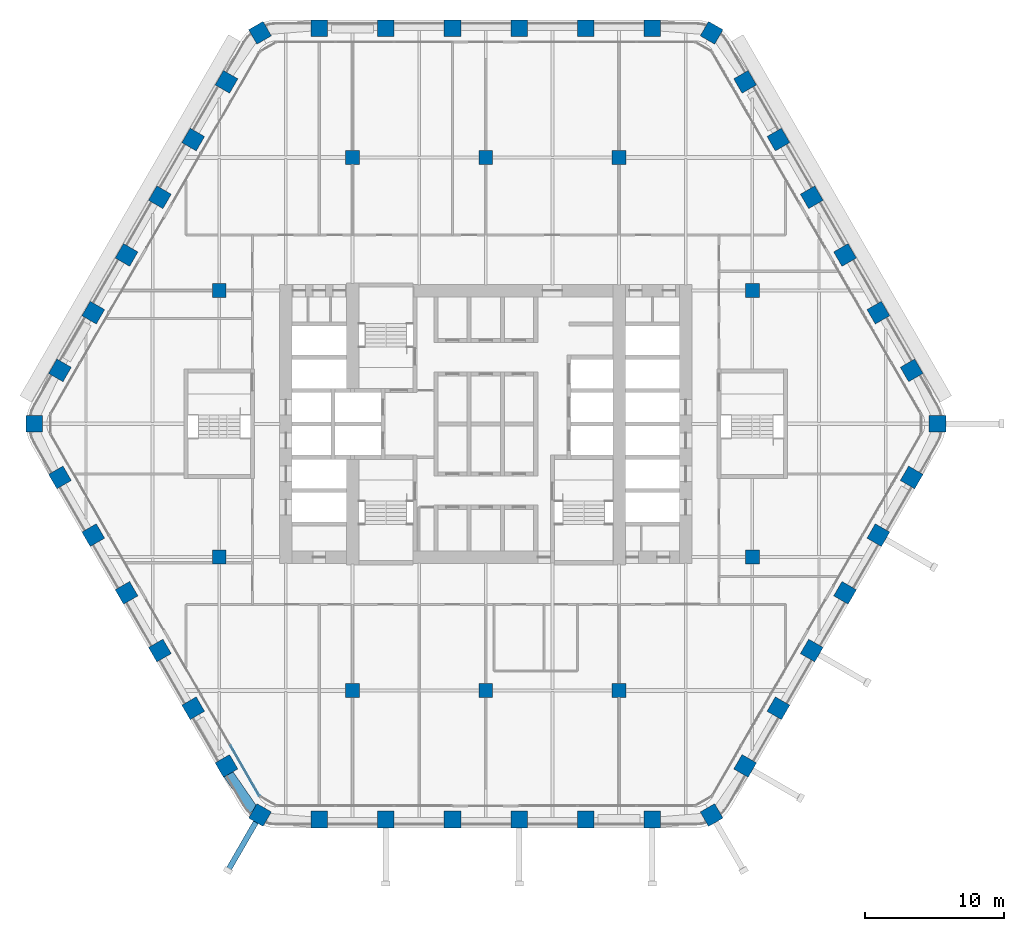
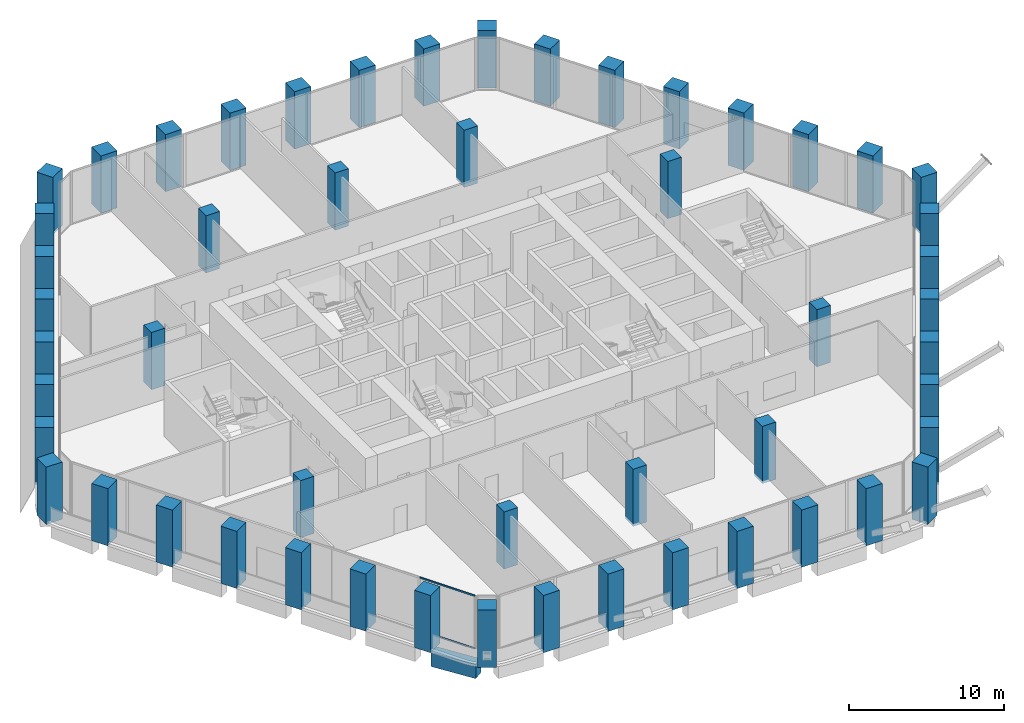
# One storey, part 1 of 24: 52 columns, 3 members, 1 beam, 1 element without a shape of its own.
"""IFC4 building model written with IfcOpenShell, lengths in metres."""

import ifcopenshell
import ifcopenshell.guid

model = None  # the IFC model being written
_history = None  # IfcOwnerHistory: only IFC2X3 demands one
_inside = {}  # id of a spatial element -> (the spatial element, [elements in it])
_under = {}  # id of a project, library or spatial element -> (it, [spatial elements below it])
_declared = {}  # id of a project -> (the project, [libraries it declares])
_typed = {}  # id of a type object -> (the type object, [elements of that type])
_made_of = {}  # id of a material, layer set ... -> (it, [elements and type objects made of it])


def new_model(schema):
    """Start an empty IFC model of exactly this schema.

    Asked for "IFC4X3", IfcOpenShell would pick the latest addendum, in which some entities
    have other attributes; the version numbers below select the first issue.
    IFC2X3 requires an IfcOwnerHistory on every rooted entity: one is made here for all.
    """
    global model, _history
    if schema == "IFC4X3":
        model = ifcopenshell.file(schema_version=(4, 3, 0, 0))
    else:
        model = ifcopenshell.file(schema=schema)
    _inside.clear()
    _under.clear()
    _declared.clear()
    _typed.clear()
    _made_of.clear()
    _history = None
    if model.schema == "IFC2X3":
        org = make("IfcOrganization", Name="unknown")
        user = make(
            "IfcPersonAndOrganization",
            ThePerson=make("IfcPerson", FamilyName="unknown"),
            TheOrganization=org,
        )
        app = make(
            "IfcApplication",
            ApplicationDeveloper=org,
            Version="unknown",
            ApplicationFullName="unknown",
            ApplicationIdentifier="unknown",
        )
        _history = make(
            "IfcOwnerHistory",
            OwningUser=user,
            OwningApplication=app,
            ChangeAction="ADDED",
            CreationDate=0,
        )
    return model


def make(cls, **values):
    """One entity of the class cls with the attributes given. An attribute that is None is left unset."""
    return model.create_entity(
        cls, **{name: value for name, value in values.items() if value is not None}
    )


def rooted(cls, **values):
    """An entity with a GlobalId (a new one), such as an element, a storey or a relation."""
    return make(cls, GlobalId=ifcopenshell.guid.new(), OwnerHistory=_history, **values)


def si_unit(unit_type, name, prefix=None):
    """IfcSIUnit, for example si_unit("LENGTHUNIT", "METRE", prefix="MILLI")."""
    return make("IfcSIUnit", UnitType=unit_type, Prefix=prefix, Name=name)


def assignment(units):
    """IfcUnitAssignment: the units of a project."""
    return None if units is None else make("IfcUnitAssignment", Units=units)


def point(xyz):
    """IfcCartesianPoint."""
    return None if xyz is None else make("IfcCartesianPoint", Coordinates=xyz)


def direction(xyz):
    """IfcDirection."""
    return None if xyz is None else make("IfcDirection", DirectionRatios=xyz)


def frame(location, z_axis=None, x_axis=None):
    """IfcAxis2Placement3D, a coordinate frame: its origin and axes. An axis left out is left unset."""
    return make(
        "IfcAxis2Placement3D",
        Location=point(location),
        Axis=direction(z_axis),
        RefDirection=direction(x_axis),
    )


def frame_2d(location, x_axis=None):
    """IfcAxis2Placement2D, a coordinate frame in the plane: its origin and x axis."""
    return make(
        "IfcAxis2Placement2D", Location=point(location), RefDirection=direction(x_axis)
    )


def origin():
    """The frame at (0, 0, 0) with its axes left unset."""
    return frame((0.0, 0.0, 0.0))


def origin_2d():
    """The frame at (0, 0) in the plane with its x axis left unset."""
    return frame_2d((0.0, 0.0))


def place(relative_to, where):
    """IfcLocalPlacement: puts the frame where relative to a parent placement (None: the world)."""
    return make(
        "IfcLocalPlacement", PlacementRelTo=relative_to, RelativePlacement=where
    )


def context(
    kind, dimensions, precision=None, world=None, true_north=None, identifier=None
):
    """IfcGeometricRepresentationContext, for example the 3D "Model" context."""
    return make(
        "IfcGeometricRepresentationContext",
        ContextIdentifier=identifier,
        ContextType=kind,
        CoordinateSpaceDimension=dimensions,
        Precision=precision,
        WorldCoordinateSystem=world,
        TrueNorth=true_north,
    )


def subcontext(parent, identifier, kind, view, scale=None):
    """IfcGeometricRepresentationSubContext, for example "Body" below "Model"."""
    return make(
        "IfcGeometricRepresentationSubContext",
        ContextIdentifier=identifier,
        ContextType=kind,
        ParentContext=parent,
        TargetScale=scale,
        TargetView=view,
    )


def project(units=None, contexts=None):
    """IfcProject with its units and contexts."""
    return rooted(
        "IfcProject",
        Name="project",
        RepresentationContexts=contexts,
        UnitsInContext=assignment(units),
    )


def spatial(cls, under=None, at=None, **own):
    """A site, building, storey or space (cls), placed at a placement, below another one or the project."""
    s = rooted(cls, ObjectPlacement=at, **own)
    if under is not None:
        _under.setdefault(under.id(), (under, []))[1].append(s)
    return s


def profile(cls, at=None, kind="AREA", **sizes):
    """A parametric profile (cls). Its sizes go by their IFC names, for example OverallWidth=200.0."""
    return make(cls, ProfileType=kind, Position=at, **sizes)


def rectangle(**sizes):
    """IfcRectangleProfileDef."""
    return profile("IfcRectangleProfileDef", **sizes)


def hollow_rectangle(**sizes):
    """IfcRectangleHollowProfileDef."""
    return profile("IfcRectangleHollowProfileDef", **sizes)


def extrude(swept, where, along, depth):
    """IfcExtrudedAreaSolid: the profile swept, set in the frame where, extruded along a direction by depth."""
    return make(
        "IfcExtrudedAreaSolid",
        SweptArea=swept,
        Position=where,
        ExtrudedDirection=direction(along),
        Depth=depth,
    )


def shape(context_of_items, identifier, shape_type, items):
    """IfcShapeRepresentation: the items that make up one representation, for example the "Body"."""
    return make(
        "IfcShapeRepresentation",
        ContextOfItems=context_of_items,
        RepresentationIdentifier=identifier,
        RepresentationType=shape_type,
        Items=items,
    )


def material(Name=None, Category=None):
    """IfcMaterial."""
    return make("IfcMaterial", Name=Name, Category=Category)


def material_profile(
    of_material, cross_section, Name=None, Category=None, Priority=None
):
    """IfcMaterialProfile: a cross section and its material."""
    return make(
        "IfcMaterialProfile",
        Name=Name,
        Material=of_material,
        Profile=cross_section,
        Priority=Priority,
        Category=Category,
    )


def profile_set(profiles, Name=None, composite=None):
    """IfcMaterialProfileSet."""
    return make(
        "IfcMaterialProfileSet",
        Name=Name,
        MaterialProfiles=profiles,
        CompositeProfile=composite,
    )


def made_of(thing, what):
    """Note that an element or type object is made of a material, layer set ...; save() writes the relation."""
    if what is not None:
        _made_of.setdefault(what.id(), (what, []))[1].append(thing)
    return thing


def type_object(cls, material=None, **own):
    """A type object (cls), such as IfcWallType, which elements share."""
    return made_of(rooted(cls, **own), material)


def element(
    cls,
    number,
    at=None,
    inside=None,
    cuts=None,
    type_object=None,
    material=None,
    context=None,
    identifier="Body",
    shape_type=None,
    held_by="IfcProductDefinitionShape",
    body=None,
    shapes=None,
    **own,
):
    """One element of the class cls, such as IfcWall. Its Tag is "e" and its number.

    at: its placement. inside: the storey or other place that contains it. cuts: it is an
    opening in that element (IfcRelVoidsElement). A single representation is given by context,
    identifier, shape_type and body (its items); several are given by shapes. held_by: the class
    of the entity that holds the representations. save() writes the other relations.
    """
    e = rooted(cls, Tag="e%d" % number, ObjectPlacement=at, **own)
    if body is not None:
        shapes = [shape(context, identifier, shape_type, body)]
    if shapes is not None:
        e.Representation = make(held_by, Representations=shapes)
    if inside is not None:
        _inside.setdefault(inside.id(), (inside, []))[1].append(e)
    if cuts is not None:
        rooted(
            "IfcRelVoidsElement", RelatingBuildingElement=cuts, RelatedOpeningElement=e
        )
    if type_object is not None:
        _typed.setdefault(type_object.id(), (type_object, []))[1].append(e)
    return made_of(e, material)


def aggregate(whole, parts):
    """IfcRelAggregates: a whole, such as a stair, and the parts it consists of."""
    return rooted("IfcRelAggregates", RelatingObject=whole, RelatedObjects=parts)


def save(model, path):
    """Write the relations noted so far, then the file.

    IfcRelAggregates (storeys below a building ...), IfcRelContainedInSpatialStructure (elements
    in a storey), IfcRelDefinesByType, IfcRelAssociatesMaterial and IfcRelDeclares: one each for
    every whole, place, type object, material and project.
    """
    for whole, parts in _under.values():
        aggregate(whole, parts)
    for where, things in _inside.values():
        rooted(
            "IfcRelContainedInSpatialStructure",
            RelatedElements=things,
            RelatingStructure=where,
        )
    for kind, things in _typed.values():
        rooted("IfcRelDefinesByType", RelatedObjects=things, RelatingType=kind)
    for what, things in _made_of.values():
        rooted("IfcRelAssociatesMaterial", RelatedObjects=things, RelatingMaterial=what)
    for by, libraries in _declared.values():
        rooted("IfcRelDeclares", RelatingContext=by, RelatedDefinitions=libraries)
    model.write(path)


model = new_model("IFC4")

# Units and contexts
model_context = context("Model", 3, precision=1e-05, world=origin(), true_north=direction((0.0, 1.0)))
body_context = subcontext(model_context, "Body", "Model", "MODEL_VIEW")
ifc_project = project(units=[si_unit("LENGTHUNIT", "METRE"), si_unit("AREAUNIT", "SQUARE_METRE"), si_unit("VOLUMEUNIT", "CUBIC_METRE"), si_unit("PLANEANGLEUNIT", "RADIAN"), si_unit("MASSUNIT", "GRAM", prefix="KILO")], contexts=[model_context])

# Site, building, storey
site_placement = place(None, origin())
site = spatial("IfcSite", under=ifc_project, at=site_placement, CompositionType="ELEMENT")
building_placement = place(site_placement, origin())
building = spatial("IfcBuilding", under=site, at=building_placement, Name="Kolab Exchange Tower", CompositionType="ELEMENT")
storey_placement = place(building_placement, frame((0.0, 0.0, 86.89990234375)))
storey = spatial("IfcBuildingStorey", under=building, at=storey_placement, Name="L16", CompositionType="ELEMENT", Elevation=86.89990234375)

# Columns
ifc_material_1 = material(Name="Concrete C70/85", Category="concrete")
ifc_material_profile_1 = material_profile(ifc_material_1, rectangle(XDim=1.0, YDim=1.0, at=origin_2d()), Name="RC1000")
ifc_profile_set_1 = profile_set([ifc_material_profile_1], Name="Concrete C70/85")
column_type_1 = type_object("IfcColumnType", Name="INTERIOR COLUMN 1000 SQ C70/85", PredefinedType="COLUMN", material=ifc_profile_set_1)
for number, where, z_axis, x_axis, name in (
    (1, (-19.199951171875, -9.60009765625, -0.199951171875), (0.0, 0.0, 1.0), (1.0, 0.0, 0.0), "col/L16/I-I9"),
    (2, (-19.199951171875, 9.60009765625, -0.199951171875), (0.0, 0.0, 1.0), (1.0, 0.0, 0.0), "col/L16/I-I13"),
    (3, (-9.60009765625, -19.199951171875, -0.199951171875), (0.0, 0.0, 1.0), (1.0, 0.0, 0.0), "col/L16/I-K7"),
    (4, (-9.60009765625, 19.199951171875, -0.199951171875), (0.0, 0.0, 1.0), (1.0, 0.0, 0.0), "col/L16/I-K15"),
    (5, (0.0, -19.199951171875, -0.199951171875), (0.0, 0.0, 1.0), (1.0, 0.0, 0.0), "col/L16/I-M7"),
    (6, (0.0, 19.199951171875, -0.199951171875), (0.0, 0.0, 1.0), (1.0, 0.0, 0.0), "col/L16/I-M15"),
    (7, (9.60009765625, -19.199951171875, -0.199951171875), (0.0, 0.0, 1.0), (1.0, 0.0, 0.0), "col/L16/I-O7"),
    (8, (9.60009765625, 19.199951171875, -0.199951171875), (0.0, 0.0, 1.0), (1.0, 0.0, 0.0), "col/L16/I-O15"),
    (9, (19.199951171875, -9.60009765625, -0.199951171875), (0.0, 0.0, 1.0), (1.0, 0.0, 0.0), "col/L16/I-Q9"),
    (10, (19.199951171875, 9.60009765625, -0.199951171875), (0.0, 0.0, 1.0), (1.0, 0.0, 0.0), "col/L16/I-Q13"),
):
    element("IfcColumn", number, at=place(storey_placement, frame(where, z_axis=z_axis, x_axis=x_axis)), inside=storey, type_object=column_type_1, Name=name, PredefinedType="COLUMN", context=body_context, shape_type="SweptSolid", body=[
        extrude(rectangle(XDim=1.0, YDim=1.0, at=origin_2d()), origin(), (0.0, 0.0, 1.0), 4.5),
    ])
ifc_material_profile_2 = material_profile(ifc_material_1, rectangle(XDim=1.199951171875, YDim=1.199951171875, at=origin_2d()), Name="RC1200")
ifc_profile_set_2 = profile_set([ifc_material_profile_2], Name="Concrete C70/85")
column_type_2 = type_object("IfcColumnType", Name="PERIMETER COLUMN 1200 SQ C70/85", PredefinedType="COLUMN", material=ifc_profile_set_2)
for number, where, z_axis, x_axis, name in (
    (11, (-16.26806640625, 28.177001953125, -0.199951171875), (0.0, 0.0, 1.0), (0.866025403784, 0.5, 0.0), "col/L16/F1-01"),
    (12, (-12.0, 28.49853515625, -0.199951171875), (0.0, 0.0, 1.0), (1.0, 0.0, 0.0), "col/L16/F1-02"),
    (13, (-7.199951171875, 28.49853515625, -0.199951171875), (0.0, 0.0, 1.0), (1.0, 0.0, 0.0), "col/L16/F1-03"),
    (14, (-2.39990234375, 28.49853515625, -0.199951171875), (0.0, 0.0, 1.0), (1.0, 0.0, 0.0), "col/L16/F1-04"),
    (15, (2.39990234375, 28.49853515625, -0.199951171875), (0.0, 0.0, 1.0), (1.0, 0.0, 0.0), "col/L16/F1-05"),
    (16, (7.199951171875, 28.49853515625, -0.199951171875), (0.0, 0.0, 1.0), (1.0, 0.0, 0.0), "col/L16/F1-06"),
    (17, (12.0, 28.49853515625, -0.199951171875), (0.0, 0.0, 1.0), (1.0, 0.0, 0.0), "col/L16/F1-07"),
    (18, (16.26806640625, 28.177001953125, -0.199951171875), (0.0, 0.0, 1.0), (0.5, 0.866025403784, 0.0), "col/L16/F2-01"),
    (19, (18.680419921875, 24.6416015625, -0.199951171875), (0.0, 0.0, 1.0), (0.866025403784, 0.5, 0.0), "col/L16/F2-02"),
    (20, (21.080322265625, 20.484619140625, -0.199951171875), (0.0, 0.0, 1.0), (0.866025403784, 0.5, 0.0), "col/L16/F2-03"),
    (21, (23.48046875, 16.32763671875, -0.199951171875), (0.0, 0.0, 1.0), (0.866025403784, 0.5, 0.0), "col/L16/F2-04"),
    (22, (25.88037109375, 12.170654296875, -0.199951171875), (0.0, 0.0, 1.0), (0.866025403784, 0.5, 0.0), "col/L16/F2-05"),
    (23, (28.2802734375, 8.013916015625, -0.199951171875), (0.0, 0.0, 1.0), (0.866025403784, 0.5, 0.0), "col/L16/F2-06"),
    (24, (30.680419921875, 3.85693359375, -0.199951171875), (0.0, 0.0, 1.0), (0.866025403784, 0.5, 0.0), "col/L16/F2-07"),
    (25, (32.535888671875, 0.0, -0.199951171875), (0.0, 0.0, 1.0), (1.0, 0.0, 0.0), "col/L16/F3-01"),
    (26, (30.680419921875, -3.85693359375, -0.199951171875), (0.0, 0.0, 1.0), (0.5, 0.866025403784, 0.0), "col/L16/F3-02"),
    (27, (28.2802734375, -8.013916015625, -0.199951171875), (0.0, 0.0, 1.0), (0.5, 0.866025403784, 0.0), "col/L16/F3-03"),
    (28, (25.88037109375, -12.170654296875, -0.199951171875), (0.0, 0.0, 1.0), (0.5, 0.866025403784, 0.0), "col/L16/F3-04"),
    (29, (23.48046875, -16.32763671875, -0.199951171875), (0.0, 0.0, 1.0), (0.5, 0.866025403784, 0.0), "col/L16/F3-05"),
    (30, (21.080322265625, -20.484619140625, -0.199951171875), (0.0, 0.0, 1.0), (0.5, 0.866025403784, 0.0), "col/L16/F3-06"),
    (31, (18.680419921875, -24.6416015625, -0.199951171875), (0.0, 0.0, 1.0), (0.5, 0.866025403784, 0.0), "col/L16/F3-07"),
    (32, (16.26806640625, -28.177001953125, -0.199951171875), (0.0, 0.0, 1.0), (0.866025403784, 0.5, 0.0), "col/L16/F4-01"),
    (33, (12.0, -28.49853515625, -0.199951171875), (0.0, 0.0, 1.0), (1.0, 0.0, 0.0), "col/L16/F4-02"),
    (34, (7.199951171875, -28.49853515625, -0.199951171875), (0.0, 0.0, 1.0), (1.0, 0.0, 0.0), "col/L16/F4-03"),
    (35, (2.39990234375, -28.49853515625, -0.199951171875), (0.0, 0.0, 1.0), (1.0, 0.0, 0.0), "col/L16/F4-04"),
    (36, (-2.39990234375, -28.49853515625, -0.199951171875), (0.0, 0.0, 1.0), (1.0, 0.0, 0.0), "col/L16/F4-05"),
    (37, (-7.199951171875, -28.49853515625, -0.199951171875), (0.0, 0.0, 1.0), (1.0, 0.0, 0.0), "col/L16/F4-06"),
    (38, (-12.0, -28.49853515625, -0.199951171875), (0.0, 0.0, 1.0), (1.0, 0.0, 0.0), "col/L16/F4-07"),
    (39, (-16.26806640625, -28.177001953125, -0.199951171875), (0.0, 0.0, 1.0), (0.5, 0.866025403784, 0.0), "col/L16/F5-01"),
    (40, (-18.680419921875, -24.6416015625, -0.199951171875), (0.0, 0.0, 1.0), (0.866025403784, 0.5, 0.0), "col/L16/F5-02"),
    (41, (-21.080322265625, -20.484619140625, -0.199951171875), (0.0, 0.0, 1.0), (0.866025403784, 0.5, 0.0), "col/L16/F5-03"),
    (42, (-23.48046875, -16.32763671875, -0.199951171875), (0.0, 0.0, 1.0), (0.866025403784, 0.5, 0.0), "col/L16/F5-04"),
    (43, (-25.88037109375, -12.170654296875, -0.199951171875), (0.0, 0.0, 1.0), (0.866025403784, 0.5, 0.0), "col/L16/F5-05"),
    (44, (-28.2802734375, -8.013916015625, -0.199951171875), (0.0, 0.0, 1.0), (0.866025403784, 0.5, 0.0), "col/L16/F5-06"),
    (45, (-30.680419921875, -3.85693359375, -0.199951171875), (0.0, 0.0, 1.0), (0.866025403784, 0.5, 0.0), "col/L16/F5-07"),
    (46, (-32.535888671875, 0.0, -0.199951171875), (0.0, 0.0, 1.0), (1.0, 0.0, 0.0), "col/L16/F6-01"),
    (47, (-30.680419921875, 3.85693359375, -0.199951171875), (0.0, 0.0, 1.0), (0.5, 0.866025403784, 0.0), "col/L16/F6-02"),
    (48, (-28.2802734375, 8.013916015625, -0.199951171875), (0.0, 0.0, 1.0), (0.5, 0.866025403784, 0.0), "col/L16/F6-03"),
    (49, (-25.88037109375, 12.170654296875, -0.199951171875), (0.0, 0.0, 1.0), (0.5, 0.866025403784, 0.0), "col/L16/F6-04"),
    (50, (-23.48046875, 16.32763671875, -0.199951171875), (0.0, 0.0, 1.0), (0.5, 0.866025403784, 0.0), "col/L16/F6-05"),
    (51, (-21.080322265625, 20.484619140625, -0.199951171875), (0.0, 0.0, 1.0), (0.5, 0.866025403784, 0.0), "col/L16/F6-06"),
    (52, (-18.680419921875, 24.6416015625, -0.199951171875), (0.0, 0.0, 1.0), (0.5, 0.866025403784, 0.0), "col/L16/F6-07"),
):
    element("IfcColumn", number, at=place(storey_placement, frame(where, z_axis=z_axis, x_axis=x_axis)), inside=storey, type_object=column_type_2, Name=name, PredefinedType="COLUMN", context=body_context, shape_type="SweptSolid", body=[
        extrude(rectangle(XDim=1.199951171875, YDim=1.199951171875, at=origin_2d()), origin(), (0.0, 0.0, 1.0), 4.5),
    ])

# Member
ifc_material_2 = material(Name="Steel S355", Category="steel")
ifc_material_profile_3 = material_profile(ifc_material_2, hollow_rectangle(XDim=0.39990234375, YDim=0.39990234375, WallThickness=0.02001953125, at=origin_2d()), Name="HSS400X400X20")
ifc_profile_set_3 = profile_set([ifc_material_profile_3], Name="Steel S355")
member_type_1 = type_object("IfcMemberType", Name="LEDGE STRUT HSS400X400X20", PredefinedType="STRUT", material=ifc_profile_set_3)
member_1_placement = place(storey_placement, frame((-16.5478515625, -28.661865234375, 0.60009765625), z_axis=(-0.40533170136, -0.702055669831, 0.585511783255), x_axis=(0.866025579307, -0.499999695987, 0.0)))
element("IfcMember", 53, at=member_1_placement, inside=storey, type_object=member_type_1, Name="mem/L16/ledge/strut-8", PredefinedType="STRUT", context=body_context, shape_type="SweptSolid", body=[
    extrude(hollow_rectangle(XDim=0.39990234375, YDim=0.39990234375, WallThickness=0.02001953125, at=origin_2d()), origin(), (0.0, 0.0, 1.0), 4.983642578125),
])

# Beam
ifc_material_profile_4 = material_profile(ifc_material_1, rectangle(XDim=0.75, YDim=1.10009765625, at=origin_2d()), Name="RC750X1100")
ifc_profile_set_4 = profile_set([ifc_material_profile_4], Name="Concrete C70/85")
beam_type = type_object("IfcBeamType", Name="SPANDREL BEAM 750X1100 C70/85", PredefinedType="BEAM", material=ifc_profile_set_4)
beam_placement = place(storey_placement, frame((-16.73486328125, -27.85791015625, -0.75), z_axis=(-0.567661826262, 0.823261836237, 0.0), x_axis=(-0.823261836237, -0.567661826262, 0.0)))
element("IfcBeam", 54, at=beam_placement, inside=storey, type_object=beam_type, Name="beam/L16/sp/F5-01", PredefinedType="BEAM", context=body_context, shape_type="SweptSolid", body=[
    extrude(rectangle(XDim=0.75, YDim=1.10009765625, at=origin_2d()), origin(), (0.0, 0.0, 1.0), 3.20849609375),
])

# Curtain wall, members
ifc_material_3 = material(Name="Aluminium EN AW-6063 T6", Category="aluminium")
curtain_wall_type = type_object("IfcCurtainWallType", Name="UNITISED LOWER MID ZONE CURTAIN WALL", PredefinedType="NOTDEFINED", material=ifc_material_3)
curtain_wall_placement = place(storey_placement, origin())
curtain_wall = element("IfcCurtainWall", 55, at=curtain_wall_placement, inside=storey, type_object=curtain_wall_type, Name="cw/L16/F5-1", PredefinedType="NOTDEFINED")
ifc_material_profile_5 = material_profile(ifc_material_3, rectangle(XDim=0.06005859375, YDim=0.1201171875, at=origin_2d()), Name="RECT 60X120")
ifc_profile_set_5 = profile_set([ifc_material_profile_5], Name="Aluminium EN AW-6063 T6")
member_type_2 = type_object("IfcMemberType", Name="UNITISED LOWER MID ZONE TRANSOM 60 X 120", PredefinedType="USERDEFINED", material=ifc_profile_set_5)
member_2_placement = place(storey_placement, frame((-16.32763671875, -26.756591796875, 0.030029296875), z_axis=(-0.500001996123, 0.866024251319, 0.0), x_axis=(-0.866024251319, -0.500001996123, 0.0)))
member_2 = element("IfcMember", 56, at=member_2_placement, type_object=member_type_2, Name="CW2 transom 1.1", ObjectType="TRANSOM", PredefinedType="USERDEFINED", context=body_context, shape_type="SweptSolid", body=[
    extrude(rectangle(XDim=0.06005859375, YDim=0.1201171875, at=origin_2d()), origin(), (0.0, 0.0, 1.0), 4.1328125),
])
member_3_placement = place(storey_placement, frame((-16.32763671875, -26.756591796875, 4.170166015625), z_axis=(-0.500001996123, 0.866024251319, 0.0), x_axis=(-0.866024251319, -0.500001996123, 0.0)))
member_3 = element("IfcMember", 57, at=member_3_placement, type_object=member_type_2, Name="CW2 transom 1.2", ObjectType="TRANSOM", PredefinedType="USERDEFINED", context=body_context, shape_type="SweptSolid", body=[
    extrude(rectangle(XDim=0.06005859375, YDim=0.1201171875, at=origin_2d()), origin(), (0.0, 0.0, 1.0), 4.1328125),
])
aggregate(curtain_wall, [member_2, member_3])

save(model, "model.ifc")
